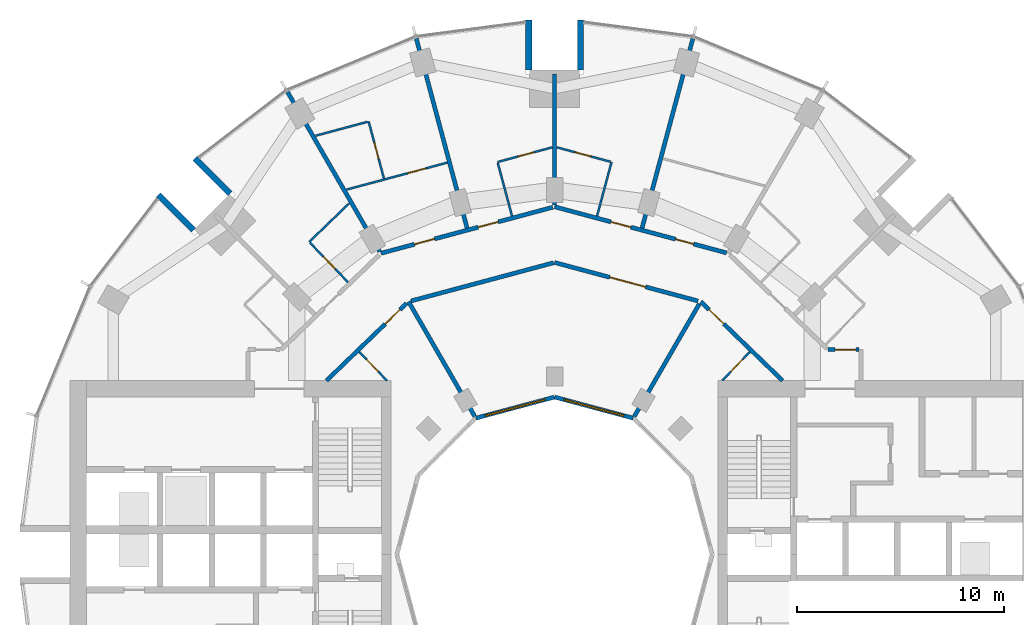
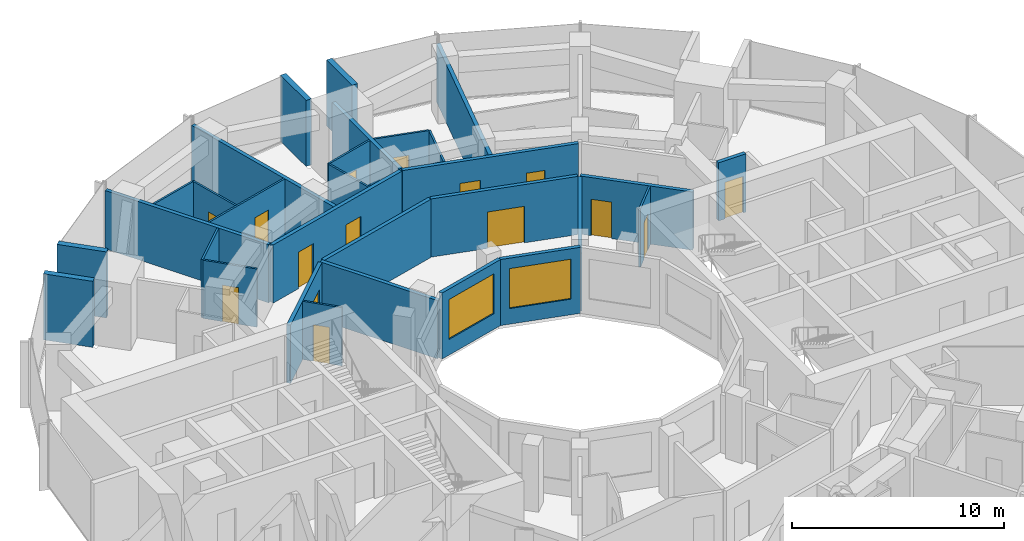
# One storey, part 12 of 15: 30 walls, 15 doors, 2 windows, 17 openings.
"""IFC4 building model written with IfcOpenShell, lengths in metres."""

from ifc_helpers import new_model, si_unit, direction, frame, frame_2d, origin, place, context, subcontext, project, spatial, rectangle, extrude, material, layer, layer_set, type_object, element, fill, save


model = new_model("IFC4")

# Units and contexts
model_context = context("Model", 3, precision=1e-05, world=origin(), true_north=direction((0.0, 1.0)))
body_context = subcontext(model_context, "Body", "Model", "MODEL_VIEW")
ifc_project = project(units=[si_unit("LENGTHUNIT", "METRE"), si_unit("AREAUNIT", "SQUARE_METRE"), si_unit("VOLUMEUNIT", "CUBIC_METRE"), si_unit("PLANEANGLEUNIT", "RADIAN"), si_unit("MASSUNIT", "GRAM", prefix="KILO")], contexts=[model_context])

# Site, building, storey
site_placement = place(None, origin())
site = spatial("IfcSite", under=ifc_project, at=site_placement, CompositionType="ELEMENT")
building_placement = place(site_placement, origin())
building = spatial("IfcBuilding", under=site, at=building_placement, Name="Torre Brocal", CompositionType="ELEMENT")
storey_placement = place(building_placement, frame((0.0, 0.0, 44.0)))
storey = spatial("IfcBuildingStorey", under=building, at=storey_placement, Name="L09", CompositionType="ELEMENT", Elevation=44.0)

# Walls
ifc_material_1 = material(Name="Concrete C80", Category="concrete")
ifc_layer_1 = layer(ifc_material_1, 0.300048828125)
ifc_layer_set_1 = layer_set([ifc_layer_1], Name="Concrete C80")
wall_type_1 = type_object("IfcWallType", Name="NOTCH RETURN WALL 300 C80", PredefinedType="NOTDEFINED", material=ifc_layer_set_1)
for number, where, z_axis, x_axis, name in (
    (1, (81.25, 98.39990234375, 0.0), (0.0, 0.0, 1.0), (0.0, 1.0, 0.0), "NOTCH RETURN WALL"),
    (2, (78.75, 98.39990234375, 0.0), (0.0, 0.0, 1.0), (0.0, 1.0, 0.0), "NOTCH RETURN WALL"),
    (3, (64.337646484375, 92.43017578125, 0.0), (0.0, 0.0, 1.0), (-0.707106781187, 0.707106781187, 0.0), "NOTCH RETURN WALL"),
    (4, (62.56982421875, 90.662353515625, 0.0), (0.0, 0.0, 1.0), (-0.707106781187, 0.707106781187, 0.0), "NOTCH RETURN WALL"),
):
    element("IfcWall", number, at=place(storey_placement, frame(where, z_axis=z_axis, x_axis=x_axis)), inside=storey, type_object=wall_type_1, Name=name, PredefinedType="NOTDEFINED", context=body_context, shape_type="SweptSolid", body=[
        extrude(rectangle(XDim=2.415771484375, YDim=0.300048828125, at=frame_2d((1.2080078125, 0.0))), origin(), (0.0, 0.0, 1.0), 3.800048828125),
    ])

# Wall, opening, door
ifc_material_2 = material(Name="Gypsum board", Category="Gypsum")
ifc_layer_2 = layer(ifc_material_2, 0.10009765625)
ifc_layer_set_2 = layer_set([ifc_layer_2], Name="Gypsum board")
wall_type_2 = type_object("IfcWallType", Name="PARTITION 100", PredefinedType="PARTITIONING", material=ifc_layer_set_2)
wall_1_placement = place(storey_placement, frame((68.184814453125, 90.06005859375, 0.0), z_axis=(0.0, 0.0, 1.0), x_axis=(0.69446127412, -0.719530081892, 0.0)))
wall_1 = element("IfcWall", 5, at=wall_1_placement, inside=storey, type_object=wall_type_2, Name="BATHROOM WALL", PredefinedType="PARTITIONING", context=body_context, shape_type="SweptSolid", body=[
    extrude(rectangle(XDim=2.64892578125, YDim=0.10009765625, at=frame_2d((1.324462890625, 0.0))), origin(), (0.0, 0.0, 1.0), 3.35009765625),
])
opening_1_placement = place(wall_1_placement, frame((0.94970703125, 0.0, 0.0)))
opening_1 = element("IfcOpeningElement", 6, at=opening_1_placement, cuts=wall_1, Name="Opening H02-D15", PredefinedType="OPENING", context=body_context, shape_type="SweptSolid", body=[
    extrude(rectangle(XDim=0.800048828125, YDim=2.10009765625, at=frame_2d((0.39990234375, 1.050048828125))), frame((0.0, 0.06005859375, 0.0), z_axis=(0.0, -1.0, 0.0), x_axis=(1.0, 0.0, 0.0)), (0.0, 0.0, 1.0), 0.1201171875),
])
ifc_material_3 = material(Name="Timber", Category="wood")
door_type_1 = type_object("IfcDoorType", Name="BATHROOM DOOR 800X2100", OperationType="SINGLE_SWING_LEFT", PredefinedType="DOOR", material=ifc_material_3)
door_1_placement = place(opening_1_placement, origin())
door_1 = element("IfcDoor", 7, at=door_1_placement, inside=storey, type_object=door_type_1, Name="H02-D15", OperationType="SINGLE_SWING_RIGHT", OverallHeight=2.10009765625, OverallWidth=0.800048828125, PredefinedType="DOOR", context=body_context, shape_type="SweptSolid", body=[
    extrude(rectangle(XDim=0.800048828125, YDim=2.10009765625, at=frame_2d((0.39990234375, 1.050048828125))), frame((0.0, 0.02490234375, 0.0), z_axis=(0.0, -1.0, 0.0), x_axis=(1.0, 0.0, 0.0)), (0.0, 0.0, 1.0), 0.050048828125),
])
fill(opening_1, door_1)

# Walls
wall_2_placement = place(storey_placement, frame((68.14990234375, 90.09619140625, 0.0), z_axis=(0.0, 0.0, 1.0), x_axis=(0.719623741095, 0.69436422089, 0.0)))
element("IfcWall", 8, at=wall_2_placement, inside=storey, type_object=wall_type_2, Name="BATHROOM WALL", PredefinedType="PARTITIONING", context=body_context, shape_type="SweptSolid", body=[
    extrude(rectangle(XDim=2.68701171875, YDim=0.10009765625, at=frame_2d((1.343505859375, 0.0))), origin(), (0.0, 0.0, 1.0), 3.35009765625),
])
wall_3_placement = place(storey_placement, frame((68.456787109375, 95.22509765625, 0.0), z_axis=(0.0, 0.0, 1.0), x_axis=(0.965887416682, 0.258962349183, 0.0)))
element("IfcWall", 9, at=wall_3_placement, inside=storey, type_object=wall_type_2, Name="BATHROOM WALL", PredefinedType="PARTITIONING", context=body_context, shape_type="SweptSolid", body=[
    extrude(rectangle(XDim=2.606689453125, YDim=0.10009765625, at=frame_2d((1.30322265625, 0.0))), origin(), (0.0, 0.0, 1.0), 3.35009765625),
])

# Wall, opening, door
wall_4_placement = place(storey_placement, frame((69.9580078125, 92.625244140625, 0.0), z_axis=(0.0, 0.0, 1.0), x_axis=(0.96595043048, 0.258727203548, 0.0)))
wall_4 = element("IfcWall", 10, at=wall_4_placement, inside=storey, type_object=wall_type_2, Name="BATHROOM WALL", PredefinedType="PARTITIONING", context=body_context, shape_type="SweptSolid", body=[
    extrude(rectangle(XDim=5.0380859375, YDim=0.10009765625, at=frame_2d((2.51904296875, 0.0))), origin(), (0.0, 0.0, 1.0), 3.35009765625),
])
opening_2_placement = place(wall_4_placement, frame((3.04931640625, 0.0, 0.0)))
opening_2 = element("IfcOpeningElement", 11, at=opening_2_placement, cuts=wall_4, Name="Opening H02-D12", PredefinedType="OPENING", context=body_context, shape_type="SweptSolid", body=[
    extrude(rectangle(XDim=0.89990234375, YDim=2.10009765625, at=frame_2d((0.449951171875, 1.050048828125))), frame((0.0, 0.06005859375, 0.0), z_axis=(0.0, -1.0, 0.0), x_axis=(1.0, 0.0, 0.0)), (0.0, 0.0, 1.0), 0.1201171875),
])
ifc_material_4 = material(Name="Timber", Category="wood")
door_type_2 = type_object("IfcDoorType", Name="ROOM DOOR 900X2100", OperationType="SINGLE_SWING_LEFT", PredefinedType="DOOR", material=ifc_material_4)
door_2_placement = place(opening_2_placement, frame((0.89990234375, 0.0, 0.0), z_axis=(0.0, 0.0, 1.0), x_axis=(-1.0, 0.0, 0.0)))
door_2 = element("IfcDoor", 12, at=door_2_placement, inside=storey, type_object=door_type_2, Name="H02-D12", OperationType="SINGLE_SWING_LEFT", OverallHeight=2.10009765625, OverallWidth=0.89990234375, PredefinedType="DOOR", context=body_context, shape_type="SweptSolid", body=[
    extrude(rectangle(XDim=0.89990234375, YDim=2.10009765625, at=frame_2d((0.449951171875, 1.050048828125))), frame((0.0, 0.02490234375, 0.0), z_axis=(0.0, -1.0, 0.0), x_axis=(1.0, 0.0, 0.0)), (0.0, 0.0, 1.0), 0.050048828125),
])
fill(opening_2, door_2)

wall_5_placement = place(storey_placement, frame((70.5673828125, 84.785888671875, 0.0), z_axis=(0.0, 0.0, 1.0), x_axis=(0.694447472534, -0.719543402368, 0.0)))
wall_5 = element("IfcWall", 13, at=wall_5_placement, inside=storey, type_object=wall_type_2, Name="BATHROOM WALL", PredefinedType="PARTITIONING", context=body_context, shape_type="SweptSolid", body=[
    extrude(rectangle(XDim=1.92626953125, YDim=0.10009765625, at=frame_2d((0.963134765625, 0.0))), origin(), (0.0, 0.0, 1.0), 3.35009765625),
])
opening_3_placement = place(wall_5_placement, frame((0.51318359375, 0.0, 0.0)))
opening_3 = element("IfcOpeningElement", 14, at=opening_3_placement, cuts=wall_5, Name="Opening H02-D22", PredefinedType="OPENING", context=body_context, shape_type="SweptSolid", body=[
    extrude(rectangle(XDim=0.800048828125, YDim=2.10009765625, at=frame_2d((0.39990234375, 1.050048828125))), frame((0.0, 0.06005859375, 0.0), z_axis=(0.0, -1.0, 0.0), x_axis=(1.0, 0.0, 0.0)), (0.0, 0.0, 1.0), 0.1201171875),
])
door_3_placement = place(opening_3_placement, frame((0.800048828125, 0.0, 0.0), z_axis=(0.0, 0.0, 1.0), x_axis=(-1.0, 0.0, 0.0)))
door_3 = element("IfcDoor", 15, at=door_3_placement, inside=storey, type_object=door_type_1, Name="H02-D22", OperationType="SINGLE_SWING_RIGHT", OverallHeight=2.10009765625, OverallWidth=0.800048828125, PredefinedType="DOOR", context=body_context, shape_type="SweptSolid", body=[
    extrude(rectangle(XDim=0.800048828125, YDim=2.10009765625, at=frame_2d((0.39990234375, 1.050048828125))), frame((0.0, 0.02490234375, 0.0), z_axis=(0.0, -1.0, 0.0), x_axis=(1.0, 0.0, 0.0)), (0.0, 0.0, 1.0), 0.050048828125),
])
fill(opening_3, door_3)

wall_6_placement = place(storey_placement, frame((71.02294921875, 95.9130859375, 0.0), z_axis=(0.0, 0.0, 1.0), x_axis=(0.258968734817, -0.965885704619, 0.0)))
wall_6 = element("IfcWall", 16, at=wall_6_placement, inside=storey, type_object=wall_type_2, Name="BATHROOM WALL", PredefinedType="PARTITIONING", context=body_context, shape_type="SweptSolid", body=[
    extrude(rectangle(XDim=2.849853515625, YDim=0.10009765625, at=frame_2d((1.4248046875, 0.0))), origin(), (0.0, 0.0, 1.0), 3.35009765625),
])
opening_4_placement = place(wall_6_placement, frame((1.050048828125, 0.0, 0.0)))
opening_4 = element("IfcOpeningElement", 17, at=opening_4_placement, cuts=wall_6, Name="Opening H02-D13", PredefinedType="OPENING", context=body_context, shape_type="SweptSolid", body=[
    extrude(rectangle(XDim=0.800048828125, YDim=2.10009765625, at=frame_2d((0.39990234375, 1.050048828125))), frame((0.0, 0.06005859375, 0.0), z_axis=(0.0, -1.0, 0.0), x_axis=(1.0, 0.0, 0.0)), (0.0, 0.0, 1.0), 0.1201171875),
])
door_4_placement = place(opening_4_placement, frame((0.800048828125, 0.0, 0.0), z_axis=(0.0, 0.0, 1.0), x_axis=(-1.0, 0.0, 0.0)))
door_4 = element("IfcDoor", 18, at=door_4_placement, inside=storey, type_object=door_type_1, Name="H02-D13", OperationType="SINGLE_SWING_RIGHT", OverallHeight=2.10009765625, OverallWidth=0.800048828125, PredefinedType="DOOR", context=body_context, shape_type="SweptSolid", body=[
    extrude(rectangle(XDim=0.800048828125, YDim=2.10009765625, at=frame_2d((0.39990234375, 1.050048828125))), frame((0.0, 0.02490234375, 0.0), z_axis=(0.0, -1.0, 0.0), x_axis=(1.0, 0.0, 0.0)), (0.0, 0.0, 1.0), 0.050048828125),
])
fill(opening_4, door_4)

# Wall
wall_7_placement = place(storey_placement, frame((77.260009765625, 93.90869140625, 0.0), z_axis=(0.0, 0.0, 1.0), x_axis=(0.258935674139, -0.965894568086, 0.0)))
element("IfcWall", 19, at=wall_7_placement, inside=storey, type_object=wall_type_2, Name="BATHROOM WALL", PredefinedType="PARTITIONING", context=body_context, shape_type="SweptSolid", body=[
    extrude(rectangle(XDim=2.6494140625, YDim=0.10009765625, at=frame_2d((1.32470703125, 0.0))), origin(), (0.0, 0.0, 1.0), 3.35009765625),
])

# Wall, opening, door
wall_8_placement = place(storey_placement, frame((77.2470703125, 93.95703125, 0.0), z_axis=(0.0, 0.0, 1.0), x_axis=(0.965899920864, 0.258915706119, 0.0)))
wall_8 = element("IfcWall", 20, at=wall_8_placement, inside=storey, type_object=wall_type_2, Name="BATHROOM WALL", PredefinedType="PARTITIONING", context=body_context, shape_type="SweptSolid", body=[
    extrude(rectangle(XDim=2.740234375, YDim=0.10009765625, at=frame_2d((1.3701171875, 0.0))), origin(), (0.0, 0.0, 1.0), 3.35009765625),
])
opening_5_placement = place(wall_8_placement, frame((1.025146484375, 0.0, 0.0)))
opening_5 = element("IfcOpeningElement", 21, at=opening_5_placement, cuts=wall_8, Name="Opening H02-D10", PredefinedType="OPENING", context=body_context, shape_type="SweptSolid", body=[
    extrude(rectangle(XDim=0.800048828125, YDim=2.10009765625, at=frame_2d((0.39990234375, 1.050048828125))), frame((0.0, 0.06005859375, 0.0), z_axis=(0.0, -1.0, 0.0), x_axis=(1.0, 0.0, 0.0)), (0.0, 0.0, 1.0), 0.1201171875),
])
door_5_placement = place(opening_5_placement, frame((0.800048828125, 0.0, 0.0), z_axis=(0.0, 0.0, 1.0), x_axis=(-1.0, 0.0, 0.0)))
door_5 = element("IfcDoor", 22, at=door_5_placement, inside=storey, type_object=door_type_1, Name="H02-D10", OperationType="SINGLE_SWING_LEFT", OverallHeight=2.10009765625, OverallWidth=0.800048828125, PredefinedType="DOOR", context=body_context, shape_type="SweptSolid", body=[
    extrude(rectangle(XDim=0.800048828125, YDim=2.10009765625, at=frame_2d((0.39990234375, 1.050048828125))), frame((0.0, 0.02490234375, 0.0), z_axis=(0.0, -1.0, 0.0), x_axis=(1.0, 0.0, 0.0)), (0.0, 0.0, 1.0), 0.050048828125),
])
fill(opening_5, door_5)

wall_9_placement = place(storey_placement, frame((80.106201171875, 94.66650390625, 0.0), z_axis=(0.0, 0.0, 1.0), x_axis=(0.96589821458, -0.258922071427, 0.0)))
wall_9 = element("IfcWall", 23, at=wall_9_placement, inside=storey, type_object=wall_type_2, Name="BATHROOM WALL", PredefinedType="PARTITIONING", context=body_context, shape_type="SweptSolid", body=[
    extrude(rectangle(XDim=2.690185546875, YDim=0.10009765625, at=frame_2d((1.34521484375, 0.0))), origin(), (0.0, 0.0, 1.0), 3.35009765625),
])
opening_6_placement = place(wall_9_placement, frame((0.9150390625, 0.0, 0.0)))
opening_6 = element("IfcOpeningElement", 24, at=opening_6_placement, cuts=wall_9, Name="Opening H02-D08", PredefinedType="OPENING", context=body_context, shape_type="SweptSolid", body=[
    extrude(rectangle(XDim=0.800048828125, YDim=2.10009765625, at=frame_2d((0.39990234375, 1.050048828125))), frame((0.0, 0.06005859375, 0.0), z_axis=(0.0, -1.0, 0.0), x_axis=(1.0, 0.0, 0.0)), (0.0, 0.0, 1.0), 0.1201171875),
])
door_6_placement = place(opening_6_placement, frame((0.800048828125, 0.0, 0.0), z_axis=(0.0, 0.0, 1.0), x_axis=(-1.0, 0.0, 0.0)))
door_6 = element("IfcDoor", 25, at=door_6_placement, inside=storey, type_object=door_type_1, Name="H02-D08", OperationType="SINGLE_SWING_RIGHT", OverallHeight=2.10009765625, OverallWidth=0.800048828125, PredefinedType="DOOR", context=body_context, shape_type="SweptSolid", body=[
    extrude(rectangle(XDim=0.800048828125, YDim=2.10009765625, at=frame_2d((0.39990234375, 1.050048828125))), frame((0.0, 0.02490234375, 0.0), z_axis=(0.0, -1.0, 0.0), x_axis=(1.0, 0.0, 0.0)), (0.0, 0.0, 1.0), 0.050048828125),
])
fill(opening_6, door_6)

# Wall
wall_10_placement = place(storey_placement, frame((82.053955078125, 91.349609375, 0.0), z_axis=(0.0, 0.0, 1.0), x_axis=(0.258928960762, 0.965896367774, 0.0)))
element("IfcWall", 26, at=wall_10_placement, inside=storey, type_object=wall_type_2, Name="BATHROOM WALL", PredefinedType="PARTITIONING", context=body_context, shape_type="SweptSolid", body=[
    extrude(rectangle(XDim=2.699462890625, YDim=0.10009765625, at=frame_2d((1.349609375, 0.0))), origin(), (0.0, 0.0, 1.0), 3.35009765625),
])

# Wall, opening, door
wall_11_placement = place(storey_placement, frame((88.094970703125, 83.39990234375, 0.0), z_axis=(0.0, 0.0, 1.0), x_axis=(0.694447472534, 0.719543402368, 0.0)))
wall_11 = element("IfcWall", 27, at=wall_11_placement, inside=storey, type_object=wall_type_2, Name="BATHROOM WALL", PredefinedType="PARTITIONING", context=body_context, shape_type="SweptSolid", body=[
    extrude(rectangle(XDim=1.92626953125, YDim=0.10009765625, at=frame_2d((0.963134765625, 0.0))), origin(), (0.0, 0.0, 1.0), 3.35009765625),
])
opening_7_placement = place(wall_11_placement, frame((0.613037109375, 0.0, 0.0)))
opening_7 = element("IfcOpeningElement", 28, at=opening_7_placement, cuts=wall_11, Name="Opening H02-D19", PredefinedType="OPENING", context=body_context, shape_type="SweptSolid", body=[
    extrude(rectangle(XDim=0.800048828125, YDim=2.10009765625, at=frame_2d((0.39990234375, 1.050048828125))), frame((0.0, 0.06005859375, 0.0), z_axis=(0.0, -1.0, 0.0), x_axis=(1.0, 0.0, 0.0)), (0.0, 0.0, 1.0), 0.1201171875),
])
door_7_placement = place(opening_7_placement, frame((0.800048828125, 0.0, 0.0), z_axis=(0.0, 0.0, 1.0), x_axis=(-1.0, 0.0, 0.0)))
door_7 = element("IfcDoor", 29, at=door_7_placement, inside=storey, type_object=door_type_1, Name="H02-D19", OperationType="SINGLE_SWING_LEFT", OverallHeight=2.10009765625, OverallWidth=0.800048828125, PredefinedType="DOOR", context=body_context, shape_type="SweptSolid", body=[
    extrude(rectangle(XDim=0.800048828125, YDim=2.10009765625, at=frame_2d((0.39990234375, 1.050048828125))), frame((0.0, 0.02490234375, 0.0), z_axis=(0.0, -1.0, 0.0), x_axis=(1.0, 0.0, 0.0)), (0.0, 0.0, 1.0), 0.050048828125),
])
fill(opening_7, door_7)

# Wall
ifc_material_5 = material(Name="Gypsum board", Category="Gypsum")
ifc_layer_3 = layer(ifc_material_5, 0.199951171875)
ifc_layer_set_3 = layer_set([ifc_layer_3], Name="Gypsum board")
wall_type_3 = type_object("IfcWallType", Name="PARTITION 200 EI60", PredefinedType="PARTITIONING", material=ifc_layer_set_3)
wall_12_placement = place(storey_placement, frame((67.10302734375, 97.342529296875, 0.0), z_axis=(0.0, 0.0, 1.0), x_axis=(0.499900389553, -0.866082906265, 0.0)))
element("IfcWall", 30, at=wall_12_placement, inside=storey, type_object=wall_type_3, Name="BATHROOM WALL", PredefinedType="PARTITIONING", context=body_context, shape_type="SweptSolid", body=[
    extrude(rectangle(XDim=8.907958984375, YDim=0.199951171875, at=frame_2d((4.4541015625, 0.0))), origin(), (0.0, 0.0, 1.0), 3.35009765625),
])

# Wall, opening, door
wall_13_placement = place(storey_placement, frame((68.987060546875, 83.39990234375, 0.0), z_axis=(0.0, 0.0, 1.0), x_axis=(0.719591503389, 0.694397629784, 0.0)))
wall_13 = element("IfcWall", 31, at=wall_13_placement, inside=storey, type_object=wall_type_3, Name="GUESTROOM CORRIDOR WALL", PredefinedType="PARTITIONING", context=body_context, shape_type="SweptSolid", body=[
    extrude(rectangle(XDim=5.378173828125, YDim=0.199951171875, at=frame_2d((2.68896484375, 0.0))), origin(), (0.0, 0.0, 1.0), 3.35009765625),
])
opening_8_placement = place(wall_13_placement, frame((3.93798828125, 0.0, 0.0)))
opening_8 = element("IfcOpeningElement", 32, at=opening_8_placement, cuts=wall_13, Name="Opening H02-D21", PredefinedType="OPENING", context=body_context, shape_type="SweptSolid", body=[
    extrude(rectangle(XDim=1.0, YDim=2.10009765625, at=frame_2d((0.5, 1.050048828125))), frame((0.0, 0.10986328125, 0.0), z_axis=(0.0, -1.0, 0.0), x_axis=(1.0, 0.0, 0.0)), (0.0, 0.0, 1.0), 0.219970703125),
])
ifc_material_6 = material(Name="Timber", Category="wood")
door_type_3 = type_object("IfcDoorType", Name="FLAT ENTRY DOOR FD30S 1000X2100", OperationType="SINGLE_SWING_RIGHT", PredefinedType="DOOR", material=ifc_material_6)
door_8_placement = place(opening_8_placement, frame((1.0, 0.0, 0.0), z_axis=(0.0, 0.0, 1.0), x_axis=(-1.0, 0.0, 0.0)))
door_8 = element("IfcDoor", 33, at=door_8_placement, inside=storey, type_object=door_type_3, Name="H02-D21", OperationType="SINGLE_SWING_LEFT", OverallHeight=2.10009765625, OverallWidth=1.0, PredefinedType="DOOR", context=body_context, shape_type="SweptSolid", body=[
    extrude(rectangle(XDim=1.0, YDim=2.10009765625, at=frame_2d((0.5, 1.050048828125))), frame((0.0, 0.02490234375, 0.0), z_axis=(0.0, -1.0, 0.0), x_axis=(1.0, 0.0, 0.0)), (0.0, 0.0, 1.0), 0.050048828125),
])
fill(opening_8, door_8)

# Wall, openings, doors
wall_14_placement = place(storey_placement, frame((71.61376953125, 89.549560546875, 0.0), z_axis=(0.0, 0.0, 1.0), x_axis=(0.96597505802, 0.258635239832, 0.0)))
wall_14 = element("IfcWall", 34, at=wall_14_placement, inside=storey, type_object=wall_type_3, Name="FLAT ENTRANCE WALL", PredefinedType="PARTITIONING", context=body_context, shape_type="SweptSolid", body=[
    extrude(rectangle(XDim=8.591796875, YDim=0.199951171875, at=frame_2d((4.2958984375, 0.0))), origin(), (0.0, 0.0, 1.0), 3.35009765625),
])
opening_9_placement = place(wall_14_placement, frame((4.864990234375, 0.0, 0.0)))
opening_9 = element("IfcOpeningElement", 35, at=opening_9_placement, cuts=wall_14, Name="Opening H02-D09", PredefinedType="OPENING", context=body_context, shape_type="SweptSolid", body=[
    extrude(rectangle(XDim=1.0, YDim=2.10009765625, at=frame_2d((0.5, 1.050048828125))), frame((0.0, 0.10986328125, 0.0), z_axis=(0.0, -1.0, 0.0), x_axis=(1.0, 0.0, 0.0)), (0.0, 0.0, 1.0), 0.219970703125),
])
opening_10_placement = place(wall_14_placement, frame((1.67724609375, 0.0, 0.0)))
opening_10 = element("IfcOpeningElement", 36, at=opening_10_placement, cuts=wall_14, Name="Opening H02-D11", PredefinedType="OPENING", context=body_context, shape_type="SweptSolid", body=[
    extrude(rectangle(XDim=1.0, YDim=2.10009765625, at=frame_2d((0.5, 1.050048828125))), frame((0.0, 0.10986328125, 0.0), z_axis=(0.0, -1.0, 0.0), x_axis=(1.0, 0.0, 0.0)), (0.0, 0.0, 1.0), 0.219970703125),
])
door_9_placement = place(opening_9_placement, origin())
door_9 = element("IfcDoor", 37, at=door_9_placement, inside=storey, type_object=door_type_3, Name="H02-D09", OperationType="SINGLE_SWING_LEFT", OverallHeight=2.10009765625, OverallWidth=1.0, PredefinedType="DOOR", context=body_context, shape_type="SweptSolid", body=[
    extrude(rectangle(XDim=1.0, YDim=2.10009765625, at=frame_2d((0.5, 1.050048828125))), frame((0.0, 0.02490234375, 0.0), z_axis=(0.0, -1.0, 0.0), x_axis=(1.0, 0.0, 0.0)), (0.0, 0.0, 1.0), 0.050048828125),
])
fill(opening_9, door_9)
door_10_placement = place(opening_10_placement, origin())
door_10 = element("IfcDoor", 38, at=door_10_placement, inside=storey, type_object=door_type_3, Name="H02-D11", OperationType="SINGLE_SWING_RIGHT", OverallHeight=2.10009765625, OverallWidth=1.0, PredefinedType="DOOR", context=body_context, shape_type="SweptSolid", body=[
    extrude(rectangle(XDim=1.0, YDim=2.10009765625, at=frame_2d((0.5, 1.050048828125))), frame((0.0, 0.02490234375, 0.0), z_axis=(0.0, -1.0, 0.0), x_axis=(1.0, 0.0, 0.0)), (0.0, 0.0, 1.0), 0.050048828125),
])
fill(opening_10, door_10)

# Walls
wall_15_placement = place(storey_placement, frame((73.0712890625, 87.2470703125, 0.0), z_axis=(0.0, 0.0, 1.0), x_axis=(0.965920206274, 0.258840018373, 0.0)))
element("IfcWall", 39, at=wall_15_placement, inside=storey, type_object=wall_type_3, Name="GUESTROOM CORRIDOR WALL", PredefinedType="PARTITIONING", context=body_context, shape_type="SweptSolid", body=[
    extrude(rectangle(XDim=7.123046875, YDim=0.199951171875, at=frame_2d((3.5615234375, 0.0))), origin(), (0.0, 0.0, 1.0), 3.35009765625),
])
wall_16_placement = place(storey_placement, frame((72.948974609375, 87.214599609375, 0.0), z_axis=(0.0, 0.0, 1.0), x_axis=(0.499890755261, -0.866088467077, 0.0)))
element("IfcWall", 40, at=wall_16_placement, inside=storey, type_object=wall_type_3, Name="PARTY PARTITION", PredefinedType="PARTITIONING", context=body_context, shape_type="SweptSolid", body=[
    extrude(rectangle(XDim=6.404296875, YDim=0.199951171875, at=frame_2d((3.2021484375, 0.0))), origin(), (0.0, 0.0, 1.0), 3.35009765625),
])
wall_17_placement = place(storey_placement, frame((73.323486328125, 99.91943359375, 0.0), z_axis=(0.0, 0.0, 1.0), x_axis=(0.258786746607, -0.965934480066, 0.0)))
element("IfcWall", 41, at=wall_17_placement, inside=storey, type_object=wall_type_3, Name="PARTY PARTITION", PredefinedType="PARTITIONING", context=body_context, shape_type="SweptSolid", body=[
    extrude(rectangle(XDim=9.474609375, YDim=0.199951171875, at=frame_2d((4.7373046875, 0.0))), origin(), (0.0, 0.0, 1.0), 3.35009765625),
])

# Wall, opening, door
wall_18_placement = place(storey_placement, frame((80.0, 89.104248046875, 0.0), z_axis=(0.0, 0.0, 1.0), x_axis=(0.965886659739, -0.258965172444, 0.0)))
wall_18 = element("IfcWall", 42, at=wall_18_placement, inside=storey, type_object=wall_type_3, Name="GUESTROOM CORRIDOR WALL", PredefinedType="PARTITIONING", context=body_context, shape_type="SweptSolid", body=[
    extrude(rectangle(XDim=7.17333984375, YDim=0.199951171875, at=frame_2d((3.586669921875, 0.0))), origin(), (0.0, 0.0, 1.0), 3.35009765625),
])
opening_11_placement = place(wall_18_placement, frame((2.756591796875, 0.0, 0.0)))
opening_11 = element("IfcOpeningElement", 43, at=opening_11_placement, cuts=wall_18, Name="Opening H02-D20", PredefinedType="OPENING", context=body_context, shape_type="SweptSolid", body=[
    extrude(rectangle(XDim=1.800048828125, YDim=2.10009765625, at=frame_2d((0.89990234375, 1.050048828125))), frame((0.0, 0.10986328125, 0.0), z_axis=(0.0, -1.0, 0.0), x_axis=(1.0, 0.0, 0.0)), (0.0, 0.0, 1.0), 0.219970703125),
])
ifc_material_7 = material(Name="Timber", Category="wood")
door_type_4 = type_object("IfcDoorType", Name="DOUBLE DOOR 1800X2100", OperationType="DOUBLE_DOOR_SINGLE_SWING", PredefinedType="DOOR", material=ifc_material_7)
door_11_placement = place(opening_11_placement, frame((1.800048828125, 0.0, 0.0), z_axis=(0.0, 0.0, 1.0), x_axis=(-1.0, 0.0, 0.0)))
door_11 = element("IfcDoor", 44, at=door_11_placement, inside=storey, type_object=door_type_4, Name="H02-D20", OperationType="DOUBLE_DOOR_SINGLE_SWING", OverallHeight=2.10009765625, OverallWidth=1.800048828125, PredefinedType="DOOR", context=body_context, shape_type="SweptSolid", body=[
    extrude(rectangle(XDim=1.800048828125, YDim=2.10009765625, at=frame_2d((0.89990234375, 1.050048828125))), frame((0.0, 0.02490234375, 0.0), z_axis=(0.0, -1.0, 0.0), x_axis=(1.0, 0.0, 0.0)), (0.0, 0.0, 1.0), 0.050048828125),
])
fill(opening_11, door_11)

# Wall
wall_19_placement = place(storey_placement, frame((80.0, 91.885986328125, 0.0), z_axis=(0.0, 0.0, 1.0), x_axis=(0.0, 1.0, 0.0)))
element("IfcWall", 45, at=wall_19_placement, inside=storey, type_object=wall_type_3, Name="BATHROOM WALL", PredefinedType="PARTITIONING", context=body_context, shape_type="SweptSolid", body=[
    extrude(rectangle(XDim=6.31396484375, YDim=0.199951171875, at=frame_2d((3.156982421875, 0.0))), origin(), (0.0, 0.0, 1.0), 3.35009765625),
])

# Wall, openings, doors
wall_20_placement = place(storey_placement, frame((80.0, 91.79638671875, 0.0), z_axis=(0.0, 0.0, 1.0), x_axis=(0.965896351823, -0.258929020266, 0.0)))
wall_20 = element("IfcWall", 46, at=wall_20_placement, inside=storey, type_object=wall_type_3, Name="GUESTROOM CORRIDOR WALL", PredefinedType="PARTITIONING", context=body_context, shape_type="SweptSolid", body=[
    extrude(rectangle(XDim=8.60205078125, YDim=0.199951171875, at=frame_2d((4.301025390625, 0.0))), origin(), (0.0, 0.0, 1.0), 3.35009765625),
])
opening_12_placement = place(wall_20_placement, frame((6.0546875, 0.0, 0.0)))
opening_12 = element("IfcOpeningElement", 47, at=opening_12_placement, cuts=wall_20, Name="Opening H02-D05", PredefinedType="OPENING", context=body_context, shape_type="SweptSolid", body=[
    extrude(rectangle(XDim=0.89990234375, YDim=2.10009765625, at=frame_2d((0.449951171875, 1.050048828125))), frame((0.0, 0.10986328125, 0.0), z_axis=(0.0, -1.0, 0.0), x_axis=(1.0, 0.0, 0.0)), (0.0, 0.0, 1.0), 0.219970703125),
])
opening_13_placement = place(wall_20_placement, frame((2.816650390625, 0.0, 0.0)))
opening_13 = element("IfcOpeningElement", 48, at=opening_13_placement, cuts=wall_20, Name="Opening H02-D07", PredefinedType="OPENING", context=body_context, shape_type="SweptSolid", body=[
    extrude(rectangle(XDim=1.0, YDim=2.10009765625, at=frame_2d((0.5, 1.050048828125))), frame((0.0, 0.10986328125, 0.0), z_axis=(0.0, -1.0, 0.0), x_axis=(1.0, 0.0, 0.0)), (0.0, 0.0, 1.0), 0.219970703125),
])
door_12_placement = place(opening_13_placement, origin())
door_12 = element("IfcDoor", 49, at=door_12_placement, inside=storey, type_object=door_type_3, Name="H02-D07", OperationType="SINGLE_SWING_RIGHT", OverallHeight=2.10009765625, OverallWidth=1.0, PredefinedType="DOOR", context=body_context, shape_type="SweptSolid", body=[
    extrude(rectangle(XDim=1.0, YDim=2.10009765625, at=frame_2d((0.5, 1.050048828125))), frame((0.0, 0.02490234375, 0.0), z_axis=(0.0, -1.0, 0.0), x_axis=(1.0, 0.0, 0.0)), (0.0, 0.0, 1.0), 0.050048828125),
])
fill(opening_13, door_12)
door_13_placement = place(opening_12_placement, origin())
door_13 = element("IfcDoor", 50, at=door_13_placement, inside=storey, type_object=door_type_2, Name="H02-D05", OperationType="SINGLE_SWING_LEFT", OverallHeight=2.10009765625, OverallWidth=0.89990234375, PredefinedType="DOOR", context=body_context, shape_type="SweptSolid", body=[
    extrude(rectangle(XDim=0.89990234375, YDim=2.10009765625, at=frame_2d((0.449951171875, 1.050048828125))), frame((0.0, 0.02490234375, 0.0), z_axis=(0.0, -1.0, 0.0), x_axis=(1.0, 0.0, 0.0)), (0.0, 0.0, 1.0), 0.050048828125),
])
fill(opening_12, door_13)

# Walls
wall_21_placement = place(storey_placement, frame((83.85009765625, 81.667724609375, 0.0), z_axis=(0.0, 0.0, 1.0), x_axis=(0.500233583443, 0.865890502313, 0.0)))
element("IfcWall", 51, at=wall_21_placement, inside=storey, type_object=wall_type_3, Name="PARTY PARTITION", PredefinedType="PARTITIONING", context=body_context, shape_type="SweptSolid", body=[
    extrude(rectangle(XDim=6.2841796875, YDim=0.199951171875, at=frame_2d((3.14208984375, 0.0))), origin(), (0.0, 0.0, 1.0), 3.35009765625),
])
wall_22_placement = place(storey_placement, frame((84.226318359375, 90.76708984375, 0.0), z_axis=(0.0, 0.0, 1.0), x_axis=(0.25891339545, 0.965900540251, 0.0)))
element("IfcWall", 52, at=wall_22_placement, inside=storey, type_object=wall_type_3, Name="SERVICE ROOM WALL", PredefinedType="PARTITIONING", context=body_context, shape_type="SweptSolid", body=[
    extrude(rectangle(XDim=9.474609375, YDim=0.199951171875, at=frame_2d((4.7373046875, 0.0))), origin(), (0.0, 0.0, 1.0), 3.35009765625),
])

# Wall, opening, door
wall_23_placement = place(storey_placement, frame((87.06396484375, 87.2109375, 0.0), z_axis=(0.0, 0.0, 1.0), x_axis=(0.719540958932, -0.694450004262, 0.0)))
wall_23 = element("IfcWall", 53, at=wall_23_placement, inside=storey, type_object=wall_type_3, Name="GUESTROOM CORRIDOR WALL", PredefinedType="PARTITIONING", context=body_context, shape_type="SweptSolid", body=[
    extrude(rectangle(XDim=5.48779296875, YDim=0.199951171875, at=frame_2d((2.743896484375, 0.0))), origin(), (0.0, 0.0, 1.0), 3.35009765625),
])
opening_14_placement = place(wall_23_placement, frame((0.550048828125, 0.0, 0.0)))
opening_14 = element("IfcOpeningElement", 54, at=opening_14_placement, cuts=wall_23, Name="Opening H02-D18", PredefinedType="OPENING", context=body_context, shape_type="SweptSolid", body=[
    extrude(rectangle(XDim=1.0, YDim=2.10009765625, at=frame_2d((0.5, 1.050048828125))), frame((0.0, 0.10986328125, 0.0), z_axis=(0.0, -1.0, 0.0), x_axis=(1.0, 0.0, 0.0)), (0.0, 0.0, 1.0), 0.219970703125),
])
door_14_placement = place(opening_14_placement, frame((1.0, 0.0, 0.0), z_axis=(0.0, 0.0, 1.0), x_axis=(-1.0, 0.0, 0.0)))
door_14 = element("IfcDoor", 55, at=door_14_placement, inside=storey, type_object=door_type_3, Name="H02-D18", OperationType="SINGLE_SWING_RIGHT", OverallHeight=2.10009765625, OverallWidth=1.0, PredefinedType="DOOR", context=body_context, shape_type="SweptSolid", body=[
    extrude(rectangle(XDim=1.0, YDim=2.10009765625, at=frame_2d((0.5, 1.050048828125))), frame((0.0, 0.02490234375, 0.0), z_axis=(0.0, -1.0, 0.0), x_axis=(1.0, 0.0, 0.0)), (0.0, 0.0, 1.0), 0.050048828125),
])
fill(opening_14, door_14)

wall_24_placement = place(storey_placement, frame((93.2041015625, 84.89990234375, 0.0), z_axis=(0.0, 0.0, 1.0), x_axis=(1.0, 0.0, 0.0)))
wall_24 = element("IfcWall", 56, at=wall_24_placement, inside=storey, type_object=wall_type_3, Name="GUESTROOM CORRIDOR WALL", PredefinedType="PARTITIONING", context=body_context, shape_type="SweptSolid", body=[
    extrude(rectangle(XDim=1.495849609375, YDim=0.199951171875, at=frame_2d((0.748046875, 0.0))), origin(), (0.0, 0.0, 1.0), 3.35009765625),
])
opening_15_placement = place(wall_24_placement, frame((0.345947265625, 0.0, 0.0)))
opening_15 = element("IfcOpeningElement", 57, at=opening_15_placement, cuts=wall_24, Name="Opening H02-D01", PredefinedType="OPENING", context=body_context, shape_type="SweptSolid", body=[
    extrude(rectangle(XDim=1.0, YDim=2.10009765625, at=frame_2d((0.5, 1.050048828125))), frame((0.0, 0.10986328125, 0.0), z_axis=(0.0, -1.0, 0.0), x_axis=(1.0, 0.0, 0.0)), (0.0, 0.0, 1.0), 0.219970703125),
])
door_15_placement = place(opening_15_placement, origin())
door_15 = element("IfcDoor", 58, at=door_15_placement, inside=storey, type_object=door_type_3, Name="H02-D01", OperationType="SINGLE_SWING_RIGHT", OverallHeight=2.10009765625, OverallWidth=1.0, PredefinedType="DOOR", context=body_context, shape_type="SweptSolid", body=[
    extrude(rectangle(XDim=1.0, YDim=2.10009765625, at=frame_2d((0.5, 1.050048828125))), frame((0.0, 0.02490234375, 0.0), z_axis=(0.0, -1.0, 0.0), x_axis=(1.0, 0.0, 0.0)), (0.0, 0.0, 1.0), 0.050048828125),
])
fill(opening_15, door_15)

# Wall, opening, window
ifc_material_8 = material(Name="Concrete C40", Category="concrete")
ifc_layer_4 = layer(ifc_material_8, 0.199951171875)
ifc_layer_set_4 = layer_set([ifc_layer_4], Name="Concrete C40")
wall_type_4 = type_object("IfcWallType", Name="WELL FACADE WALL 200", PredefinedType="NOTDEFINED", material=ifc_layer_set_4)
wall_25_placement = place(storey_placement, frame((83.8017578125, 81.5849609375, 0.0), z_axis=(0.0, 0.0, 1.0), x_axis=(-0.965933654434, 0.258789828301, 0.0)))
wall_25 = element("IfcWall", 59, at=wall_25_placement, inside=storey, type_object=wall_type_4, Name="WELL FACADE WALL", PredefinedType="NOTDEFINED", context=body_context, shape_type="SweptSolid", body=[
    extrude(rectangle(XDim=3.935791015625, YDim=0.199951171875, at=frame_2d((1.9677734375, 0.0))), origin(), (0.0, 0.0, 1.0), 3.800048828125),
])
opening_16_placement = place(wall_25_placement, frame((0.468017578125, 0.0, 0.89990234375)))
opening_16 = element("IfcOpeningElement", 60, at=opening_16_placement, cuts=wall_25, Name="Opening W1", PredefinedType="OPENING", context=body_context, shape_type="SweptSolid", body=[
    extrude(rectangle(XDim=3.0, YDim=2.300048828125, at=frame_2d((1.5, 1.14990234375))), frame((0.0, 0.10986328125, 0.0), z_axis=(0.0, -1.0, 0.0), x_axis=(1.0, 0.0, 0.0)), (0.0, 0.0, 1.0), 0.219970703125),
])
ifc_material_9 = material(Name="Aluminium and glass", Category="aluminium")
window_type = type_object("IfcWindowType", Name="WELL WINDOW 3000X2300", PartitioningType="SINGLE_PANEL", PredefinedType="WINDOW", material=ifc_material_9)
window_1_placement = place(opening_16_placement, origin())
window_1 = element("IfcWindow", 61, at=window_1_placement, inside=storey, type_object=window_type, Name="WELL WINDOW 3000X2300", OverallHeight=2.300048828125, OverallWidth=3.0, PartitioningType="SINGLE_PANEL", PredefinedType="WINDOW", context=body_context, shape_type="SweptSolid", body=[
    extrude(rectangle(XDim=3.0, YDim=2.300048828125, at=frame_2d((1.5, 1.14990234375))), frame((0.0, 0.030029296875, 0.0), z_axis=(0.0, -1.0, 0.0), x_axis=(1.0, 0.0, 0.0)), (0.0, 0.0, 1.0), 0.06005859375),
])
fill(opening_16, window_1)

wall_26_placement = place(storey_placement, frame((80.0, 82.603515625, 0.0), z_axis=(0.0, 0.0, 1.0), x_axis=(-0.965933654434, -0.258789828301, 0.0)))
wall_26 = element("IfcWall", 62, at=wall_26_placement, inside=storey, type_object=wall_type_4, Name="WELL FACADE WALL", PredefinedType="NOTDEFINED", context=body_context, shape_type="SweptSolid", body=[
    extrude(rectangle(XDim=3.935791015625, YDim=0.199951171875, at=frame_2d((1.9677734375, 0.0))), origin(), (0.0, 0.0, 1.0), 3.800048828125),
])
opening_17_placement = place(wall_26_placement, frame((0.468017578125, 0.0, 0.89990234375)))
opening_17 = element("IfcOpeningElement", 63, at=opening_17_placement, cuts=wall_26, Name="Opening W1", PredefinedType="OPENING", context=body_context, shape_type="SweptSolid", body=[
    extrude(rectangle(XDim=3.0, YDim=2.300048828125, at=frame_2d((1.5, 1.14990234375))), frame((0.0, 0.10986328125, 0.0), z_axis=(0.0, -1.0, 0.0), x_axis=(1.0, 0.0, 0.0)), (0.0, 0.0, 1.0), 0.219970703125),
])
window_2_placement = place(opening_17_placement, origin())
window_2 = element("IfcWindow", 64, at=window_2_placement, inside=storey, type_object=window_type, Name="WELL WINDOW 3000X2300", OverallHeight=2.300048828125, OverallWidth=3.0, PartitioningType="SINGLE_PANEL", PredefinedType="WINDOW", context=body_context, shape_type="SweptSolid", body=[
    extrude(rectangle(XDim=3.0, YDim=2.300048828125, at=frame_2d((1.5, 1.14990234375))), frame((0.0, 0.030029296875, 0.0), z_axis=(0.0, -1.0, 0.0), x_axis=(1.0, 0.0, 0.0)), (0.0, 0.0, 1.0), 0.06005859375),
])
fill(opening_17, window_2)

save(model, "model.ifc")
